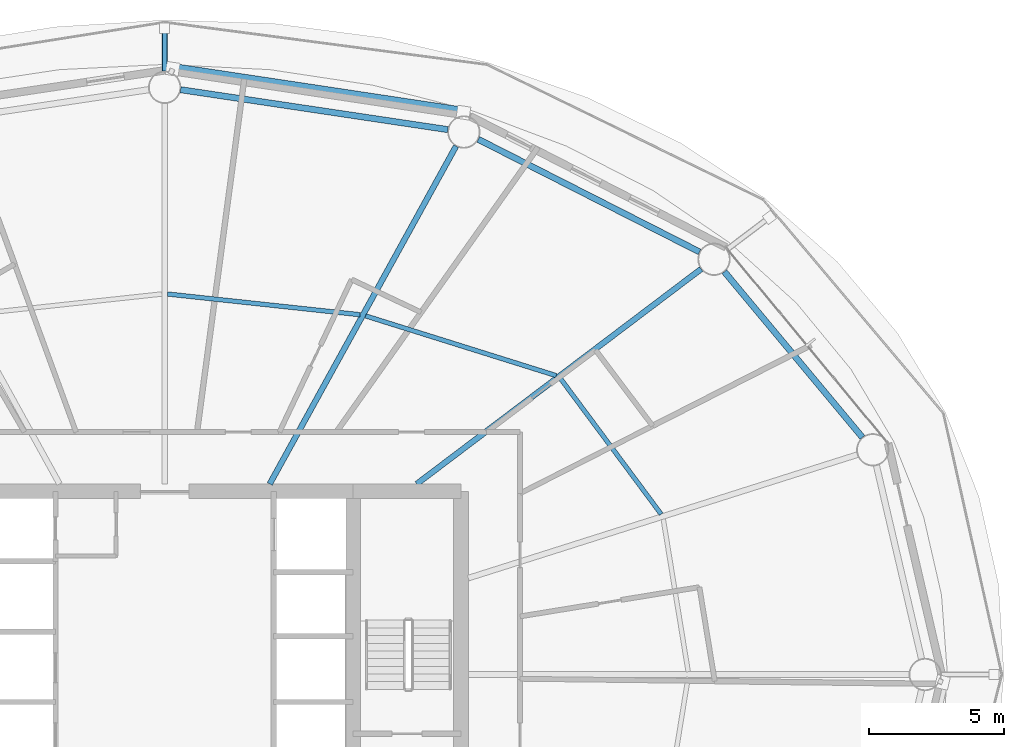
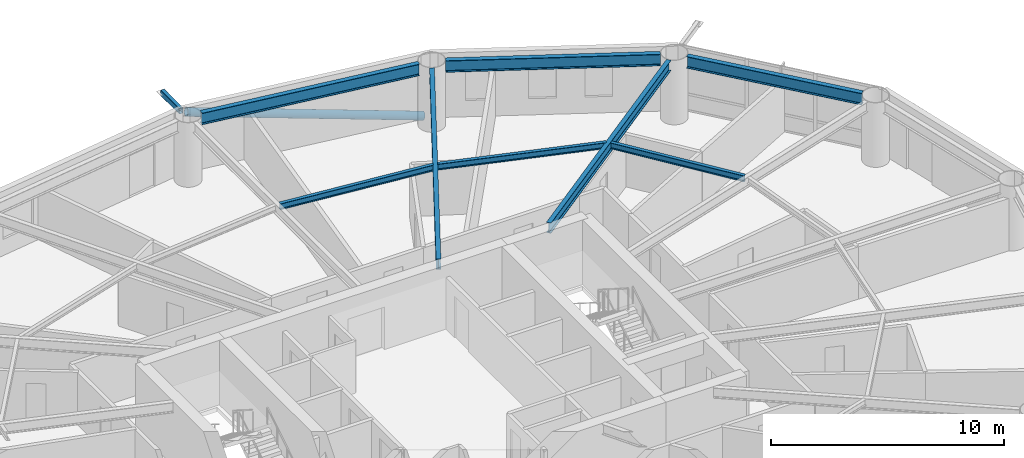
# One storey, part 11 of 24: 8 beams, 2 members.
"""IFC4 building model written with IfcOpenShell, lengths in metres."""

from ifc_helpers import new_model, si_unit, direction, frame, origin, origin_2d, place, context, subcontext, project, spatial, hollow_rectangle, hollow_circle, i_section, extrude, material, material_profile, profile_set, type_object, element, save


model = new_model("IFC4")

# Units and contexts
model_context = context("Model", 3, precision=1e-05, world=origin(), true_north=direction((0.0, 1.0)))
body_context = subcontext(model_context, "Body", "Model", "MODEL_VIEW")
ifc_project = project(units=[si_unit("LENGTHUNIT", "METRE"), si_unit("AREAUNIT", "SQUARE_METRE"), si_unit("VOLUMEUNIT", "CUBIC_METRE"), si_unit("PLANEANGLEUNIT", "RADIAN"), si_unit("MASSUNIT", "GRAM", prefix="KILO")], contexts=[model_context])

# Site, building, storey
site_placement = place(None, origin())
site = spatial("IfcSite", under=ifc_project, at=site_placement, CompositionType="ELEMENT")
building_placement = place(site_placement, origin())
building = spatial("IfcBuilding", under=site, at=building_placement, Name="Sarneth Arch Tower", CompositionType="ELEMENT")
storey_placement = place(building_placement, frame((0.0, 0.0, 112.800048828125)))
storey = spatial("IfcBuildingStorey", under=building, at=storey_placement, Name="L28", CompositionType="ELEMENT", Elevation=112.800048828125)

# Beams
ifc_material_1 = material(Name="Steel S355", Category="steel")
ifc_material_profile_1 = material_profile(ifc_material_1, i_section(OverallWidth=0.1669921875, OverallDepth=0.31689453125, WebThickness=0.007568359375, FlangeThickness=0.01318359375, FilletRadius=0.012939453125, at=origin_2d()), Name="W310x52")
ifc_profile_set_1 = profile_set([ifc_material_profile_1], Name="Steel S355")
beam_type_1 = type_object("IfcBeamType", Name="BM-JOIST-310B", PredefinedType="JOIST", material=ifc_profile_set_1)
beam_1_placement = place(storey_placement, frame((66.434326171875, 47.9541015625, 3.221435546875), z_axis=(-0.596098474255, 0.802911333206, 0.0), x_axis=(-0.802911333206, -0.596098474255, 0.0)))
element("IfcBeam", 1, at=beam_1_placement, inside=storey, type_object=beam_type_1, Name="L28 Secondary floor joist 02", PredefinedType="JOIST", context=body_context, shape_type="SweptSolid", body=[
    extrude(i_section(OverallWidth=0.1669921875, OverallDepth=0.31689453125, WebThickness=0.007568359375, FlangeThickness=0.01318359375, FilletRadius=0.012939453125, at=origin_2d()), origin(), (0.0, 0.0, 1.0), 6.259033203125),
])
beam_2_placement = place(storey_placement, frame((62.539794921875, 53.095703125, 3.221435546875), z_axis=(-0.954245982384, 0.299022750146, 0.0), x_axis=(-0.299022750146, -0.954245982384, 0.0)))
element("IfcBeam", 2, at=beam_2_placement, inside=storey, type_object=beam_type_1, Name="L28 Secondary floor joist 03", PredefinedType="JOIST", context=body_context, shape_type="SweptSolid", body=[
    extrude(i_section(OverallWidth=0.1669921875, OverallDepth=0.31689453125, WebThickness=0.007568359375, FlangeThickness=0.01318359375, FilletRadius=0.012939453125, at=origin_2d()), origin(), (0.0, 0.0, 1.0), 7.416748046875),
])
beam_3_placement = place(storey_placement, frame((55.2568359375, 55.3564453125, 3.221435546875), z_axis=(-0.994257420028, 0.107014871487, 0.0), x_axis=(-0.107014871487, -0.994257420028, 0.0)))
element("IfcBeam", 3, at=beam_3_placement, inside=storey, type_object=beam_type_1, Name="L28 Secondary floor joist 04", PredefinedType="JOIST", context=body_context, shape_type="SweptSolid", body=[
    extrude(i_section(OverallWidth=0.1669921875, OverallDepth=0.31689453125, WebThickness=0.007568359375, FlangeThickness=0.01318359375, FilletRadius=0.012939453125, at=origin_2d()), origin(), (0.0, 0.0, 1.0), 7.193115234375),
])
ifc_material_2 = material(Name="Steel S355", Category="steel")
ifc_material_profile_2 = material_profile(ifc_material_2, i_section(OverallWidth=0.2109375, OverallDepth=0.5390625, WebThickness=0.01171875, FlangeThickness=0.018798828125, FilletRadius=0.01806640625, at=origin_2d()), Name="W530x109")
ifc_profile_set_2 = profile_set([ifc_material_profile_2], Name="Steel S355")
beam_type_2 = type_object("IfcBeamType", Name="BM-RAD-530B", PredefinedType="BEAM", material=ifc_profile_set_2)
beam_4_placement = place(storey_placement, frame((57.36181640625, 49.074951171875, 3.1103515625), z_axis=(0.797802835234, 0.602918432371, 0.0), x_axis=(-0.602918432371, 0.797802835234, 0.0)))
element("IfcBeam", 4, at=beam_4_placement, inside=storey, type_object=beam_type_2, Name="L28 Radial floor girder 03", PredefinedType="BEAM", context=body_context, shape_type="SweptSolid", body=[
    extrude(i_section(OverallWidth=0.2109375, OverallDepth=0.5390625, WebThickness=0.01171875, FlangeThickness=0.018798828125, FilletRadius=0.01806640625, at=origin_2d()), origin(), (0.0, 0.0, 1.0), 13.232666015625),
])
beam_5_placement = place(storey_placement, frame((51.90283203125, 49.074951171875, 3.1103515625), z_axis=(0.483021011336, 0.875608761153, 0.0), x_axis=(-0.875608761153, 0.483021011336, 0.0)))
element("IfcBeam", 5, at=beam_5_placement, inside=storey, type_object=beam_type_2, Name="L28 Radial floor girder 04", PredefinedType="BEAM", context=body_context, shape_type="SweptSolid", body=[
    extrude(i_section(OverallWidth=0.2109375, OverallDepth=0.5390625, WebThickness=0.01171875, FlangeThickness=0.018798828125, FilletRadius=0.01806640625, at=origin_2d()), origin(), (0.0, 0.0, 1.0), 14.32177734375),
])
ifc_material_3 = material(Name="Steel S355", Category="steel")
ifc_material_profile_3 = material_profile(ifc_material_3, i_section(OverallWidth=0.22900390625, OverallDepth=0.612060546875, WebThickness=0.011962890625, FlangeThickness=0.01953125, FilletRadius=0.01904296875, at=origin_2d()), Name="W610x125")
ifc_profile_set_3 = profile_set([ifc_material_profile_3], Name="Steel S355")
beam_type_3 = type_object("IfcBeamType", Name="BM-SPAN-610C", PredefinedType="SPANDREL", material=ifc_profile_set_3)
beam_6_placement = place(storey_placement, frame((73.906982421875, 50.803466796875, 3.073974609375), z_axis=(-0.640163403463, 0.768238775946, 0.0), x_axis=(-0.768238775946, -0.640163403463, 0.0)))
element("IfcBeam", 6, at=beam_6_placement, inside=storey, type_object=beam_type_3, Name="L28 Perimeter spandrel beam 02", PredefinedType="SPANDREL", context=body_context, shape_type="SweptSolid", body=[
    extrude(i_section(OverallWidth=0.22900390625, OverallDepth=0.612060546875, WebThickness=0.011962890625, FlangeThickness=0.01953125, FilletRadius=0.01904296875, at=origin_2d()), origin(), (0.0, 0.0, 1.0), 8.006103515625),
])
beam_7_placement = place(storey_placement, frame((67.86279296875, 57.68701171875, 3.073974609375), z_axis=(-0.891259443414, 0.453493775619, 0.0), x_axis=(-0.453493775619, -0.891259443414, 0.0)))
element("IfcBeam", 7, at=beam_7_placement, inside=storey, type_object=beam_type_3, Name="L28 Perimeter spandrel beam 03", PredefinedType="SPANDREL", context=body_context, shape_type="SweptSolid", body=[
    extrude(i_section(OverallWidth=0.22900390625, OverallDepth=0.612060546875, WebThickness=0.011962890625, FlangeThickness=0.01953125, FilletRadius=0.01904296875, at=origin_2d()), origin(), (0.0, 0.0, 1.0), 9.220458984375),
])
beam_8_placement = place(storey_placement, frame((58.516845703125, 62.229248046875, 3.073974609375), z_axis=(-0.989028613319, 0.147724073992, 0.0), x_axis=(-0.147724073992, -0.989028613319, 0.0)))
element("IfcBeam", 8, at=beam_8_placement, inside=storey, type_object=beam_type_3, Name="L28 Perimeter spandrel beam 04", PredefinedType="SPANDREL", context=body_context, shape_type="SweptSolid", body=[
    extrude(i_section(OverallWidth=0.22900390625, OverallDepth=0.612060546875, WebThickness=0.011962890625, FlangeThickness=0.01953125, FilletRadius=0.01904296875, at=origin_2d()), origin(), (0.0, 0.0, 1.0), 10.033447265625),
])

# Members
ifc_material_4 = material(Name="Steel S355", Category="steel")
ifc_material_profile_4 = material_profile(ifc_material_4, hollow_rectangle(XDim=0.199951171875, YDim=0.300048828125, WallThickness=0.012451171875, InnerFilletRadius=0.018798828125, OuterFilletRadius=0.03125, at=origin_2d()), Name="RHS300x200x12.5")
ifc_profile_set_4 = profile_set([ifc_material_profile_4], Name="Steel S355")
member_type_1 = type_object("IfcMemberType", Name="MEM-CANT-STRUT", PredefinedType="STRUT", material=ifc_profile_set_4)
member_1_placement = place(storey_placement, frame((48.0, 64.39990234375, 3.219970703125), z_axis=(0.0, 1.0, 0.0), x_axis=(-1.0, 0.0, 0.0)))
element("IfcMember", 9, at=member_1_placement, inside=storey, type_object=member_type_1, Name="L28 Balcony cantilever bracket 05", PredefinedType="STRUT", context=body_context, shape_type="SweptSolid", body=[
    extrude(hollow_rectangle(XDim=0.199951171875, YDim=0.300048828125, WallThickness=0.012451171875, InnerFilletRadius=0.018798828125, OuterFilletRadius=0.03125, at=origin_2d()), origin(), (0.0, 0.0, 1.0), 1.591064453125),
])
ifc_material_5 = material(Name="Steel S355", Category="steel")
ifc_material_profile_5 = material_profile(ifc_material_5, hollow_circle(Radius=0.202880859375, WallThickness=0.01611328125, at=origin_2d()), Name="CHS406x16")
ifc_profile_set_5 = profile_set([ifc_material_profile_5], Name="Steel S355")
member_type_2 = type_object("IfcMemberType", Name="MEM-DIAG-BR2", PredefinedType="BRACE", material=ifc_profile_set_5)
member_2_placement = place(storey_placement, frame((59.0927734375, 62.859619140625, 0.02001953125), z_axis=(-0.95367294778, 0.14360842494, 0.264356821282), x_axis=(-0.148905755657, -0.988851392239, 0.0)))
element("IfcMember", 10, at=member_2_placement, inside=storey, type_object=member_type_2, Name="L28 Perimeter frame diagonal 04", PredefinedType="BRACE", context=body_context, shape_type="SweptSolid", body=[
    extrude(hollow_circle(Radius=0.202880859375, WallThickness=0.01611328125, at=origin_2d()), origin(), (0.0, 0.0, 1.0), 11.320556640625),
])

save(model, "model.ifc")
